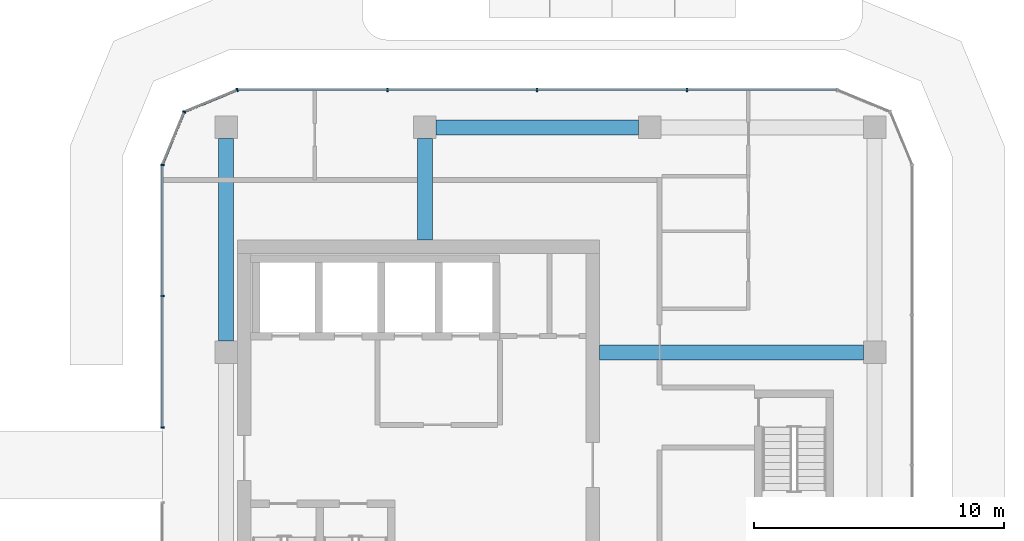
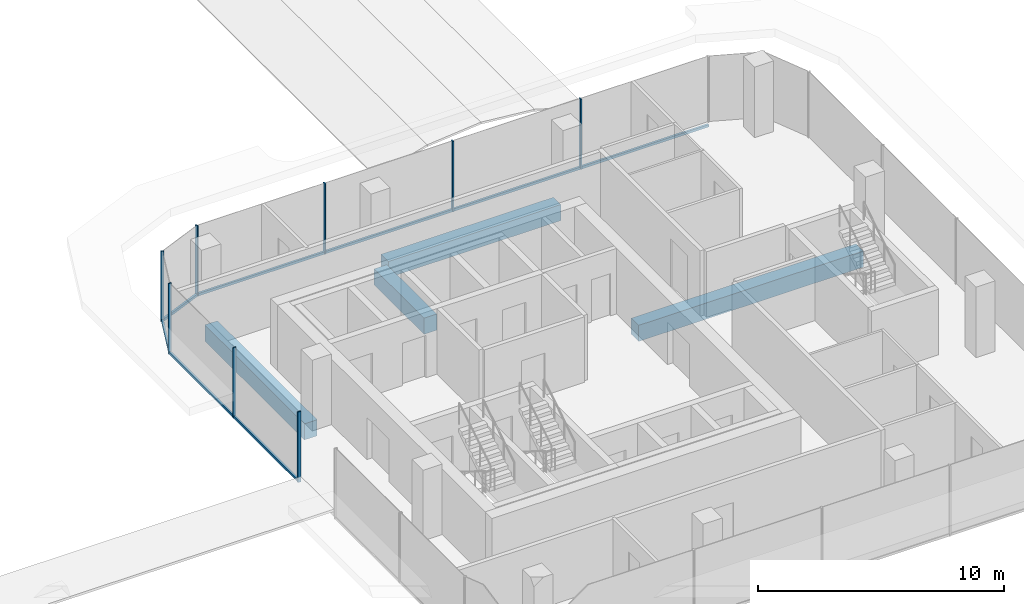
# One storey, part 9 of 24: 12 members, 4 beams, 4 elements without a shape of their own.
"""IFC4 building model written with IfcOpenShell, lengths in metres."""

from ifc_helpers import new_model, si_unit, direction, frame, origin, origin_2d, place, context, subcontext, project, spatial, rectangle, extrude, material, layer, layer_set, material_profile, profile_set, type_object, element, aggregate, save


model = new_model("IFC4")

# Units and contexts
model_context = context("Model", 3, precision=1e-05, world=origin(), true_north=direction((0.0, 1.0)))
body_context = subcontext(model_context, "Body", "Model", "MODEL_VIEW")
ifc_project = project(units=[si_unit("LENGTHUNIT", "METRE"), si_unit("AREAUNIT", "SQUARE_METRE"), si_unit("VOLUMEUNIT", "CUBIC_METRE"), si_unit("PLANEANGLEUNIT", "RADIAN"), si_unit("MASSUNIT", "GRAM", prefix="KILO")], contexts=[model_context])

# Site, building, storey
site_placement = place(None, origin())
site = spatial("IfcSite", under=ifc_project, at=site_placement, CompositionType="ELEMENT")
building_placement = place(site_placement, origin())
building = spatial("IfcBuilding", under=site, at=building_placement, Name="Plateau Cross Towers", CompositionType="ELEMENT")
storey_placement = place(building_placement, frame((0.0, 0.0, 30.300048828125)))
storey = spatial("IfcBuildingStorey", under=building, at=storey_placement, Name="L06", CompositionType="ELEMENT", Elevation=30.300048828125)

# Beams
ifc_material_1 = material(Name="Concrete C60/75", Category="concrete")
ifc_material_profile_1 = material_profile(ifc_material_1, rectangle(XDim=0.60009765625, YDim=0.800048828125, at=origin_2d()), Name="RC 600x800")
ifc_profile_set_1 = profile_set([ifc_material_profile_1], Name="Concrete C60/75")
beam_type_1 = type_object("IfcBeamType", Name="Core beam RC 600x800", PredefinedType="BEAM", material=ifc_profile_set_1)
beam_1_placement = place(storey_placement, frame((89.5, 13.5, -0.650146484375), z_axis=(1.0, 0.0, 0.0), x_axis=(0.0, 1.0, 0.0)))
element("IfcBeam", 1, at=beam_1_placement, inside=storey, type_object=beam_type_1, Name="B-CB03@L06", PredefinedType="BEAM", context=body_context, shape_type="SweptSolid", body=[
    extrude(rectangle(XDim=0.60009765625, YDim=0.800048828125, at=origin_2d()), origin(), (0.0, 0.0, 1.0), 10.550048828125),
])
beam_2_placement = place(storey_placement, frame((82.5, 18.0, -0.650146484375), z_axis=(0.0, 1.0, 0.0), x_axis=(-1.0, 0.0, 0.0)))
element("IfcBeam", 2, at=beam_2_placement, inside=storey, type_object=beam_type_1, Name="B-CB04@L06", PredefinedType="BEAM", context=body_context, shape_type="SweptSolid", body=[
    extrude(rectangle(XDim=0.60009765625, YDim=0.800048828125, at=origin_2d()), origin(), (0.0, 0.0, 1.0), 4.050048828125),
])

# Curtain wall, members
ifc_material_2 = material(Name="Dark low-iron glass", Category="glass")
ifc_layer = layer(ifc_material_2, 0.239990234375)
ifc_layer_set = layer_set([ifc_layer], Name="Dark low-iron glass")
curtain_wall_type = type_object("IfcCurtainWallType", Name="Curtain wall office unitised CW-F", PredefinedType="NOTDEFINED", material=ifc_layer_set)
curtain_wall_1_placement = place(storey_placement, origin())
curtain_wall_1 = element("IfcCurtainWall", 3, at=curtain_wall_1_placement, inside=storey, type_object=curtain_wall_type, Name="ENV/B/L06/B990_240", PredefinedType="NOTDEFINED")
ifc_material_3 = material(Name="Black anodised aluminium", Category="aluminium")
ifc_material_profile_2 = material_profile(ifc_material_3, rectangle(XDim=0.06005859375, YDim=0.139892578125, at=origin_2d()), Name="MULLION 60x140")
ifc_profile_set_2 = profile_set([ifc_material_profile_2], Name="Black anodised aluminium")
member_type_1 = type_object("IfcMemberType", Name="Mullion 60x140 office unitised", PredefinedType="MULLION", material=ifc_profile_set_2)
member_1_placement = place(storey_placement, frame((93.0, 24.0, -0.25), z_axis=(0.0, 0.0, 1.0), x_axis=(-1.0, 0.0, 0.0)))
member_1 = element("IfcMember", 4, at=member_1_placement, type_object=member_type_1, Name="CW-F mullion 2", PredefinedType="MULLION", context=body_context, shape_type="SweptSolid", body=[
    extrude(rectangle(XDim=0.06005859375, YDim=0.139892578125, at=origin_2d()), origin(), (0.0, 0.0, 1.0), 3.5),
])
member_2_placement = place(storey_placement, frame((87.0, 24.0, -0.25), z_axis=(0.0, 0.0, 1.0), x_axis=(-1.0, 0.0, 0.0)))
member_2 = element("IfcMember", 5, at=member_2_placement, type_object=member_type_1, Name="CW-F mullion 3", PredefinedType="MULLION", context=body_context, shape_type="SweptSolid", body=[
    extrude(rectangle(XDim=0.06005859375, YDim=0.139892578125, at=origin_2d()), origin(), (0.0, 0.0, 1.0), 3.5),
])
member_3_placement = place(storey_placement, frame((81.0, 24.0, -0.25), z_axis=(0.0, 0.0, 1.0), x_axis=(-1.0, 0.0, 0.0)))
member_3 = element("IfcMember", 6, at=member_3_placement, type_object=member_type_1, Name="CW-F mullion 4", PredefinedType="MULLION", context=body_context, shape_type="SweptSolid", body=[
    extrude(rectangle(XDim=0.06005859375, YDim=0.139892578125, at=origin_2d()), origin(), (0.0, 0.0, 1.0), 3.5),
])

# Curtain wall, member
curtain_wall_2_placement = place(storey_placement, origin())
curtain_wall_2 = element("IfcCurtainWall", 7, at=curtain_wall_2_placement, inside=storey, type_object=curtain_wall_type, Name="ENV/B/L06/B750_240", PredefinedType="NOTDEFINED")
member_4_placement = place(storey_placement, frame((75.0, 24.0, -0.25), z_axis=(0.0, 0.0, 1.0), x_axis=(-0.923879457699, -0.382683612978, 0.0)))
member_4 = element("IfcMember", 8, at=member_4_placement, type_object=member_type_1, Name="CW-F mullion 1", PredefinedType="MULLION", context=body_context, shape_type="SweptSolid", body=[
    extrude(rectangle(XDim=0.06005859375, YDim=0.139892578125, at=origin_2d()), origin(), (0.0, 0.0, 1.0), 3.5),
])

curtain_wall_3_placement = place(storey_placement, origin())
curtain_wall_3 = element("IfcCurtainWall", 9, at=curtain_wall_3_placement, inside=storey, type_object=curtain_wall_type, Name="ENV/B/L06/B729_231", PredefinedType="NOTDEFINED")
member_5_placement = place(storey_placement, frame((72.878662109375, 23.121337890625, -0.25), z_axis=(0.0, 0.0, 1.0), x_axis=(-0.382683612978, -0.923879457699, 0.0)))
member_5 = element("IfcMember", 10, at=member_5_placement, type_object=member_type_1, Name="CW-F mullion 1", PredefinedType="MULLION", context=body_context, shape_type="SweptSolid", body=[
    extrude(rectangle(XDim=0.06005859375, YDim=0.139892578125, at=origin_2d()), origin(), (0.0, 0.0, 1.0), 3.5),
])

# Curtain wall, members
curtain_wall_4_placement = place(storey_placement, origin())
curtain_wall_4 = element("IfcCurtainWall", 11, at=curtain_wall_4_placement, inside=storey, type_object=curtain_wall_type, Name="ENV/B/L06/B720_210", PredefinedType="NOTDEFINED")
member_6_placement = place(storey_placement, frame((72.0, 21.0, -0.25), z_axis=(0.0, 0.0, 1.0), x_axis=(0.0, -1.0, 0.0)))
member_6 = element("IfcMember", 12, at=member_6_placement, type_object=member_type_1, Name="CW-F mullion 1", PredefinedType="MULLION", context=body_context, shape_type="SweptSolid", body=[
    extrude(rectangle(XDim=0.06005859375, YDim=0.139892578125, at=origin_2d()), origin(), (0.0, 0.0, 1.0), 3.5),
])
member_7_placement = place(storey_placement, frame((72.0, 15.75, -0.25), z_axis=(0.0, 0.0, 1.0), x_axis=(0.0, -1.0, 0.0)))
member_7 = element("IfcMember", 13, at=member_7_placement, type_object=member_type_1, Name="CW-F mullion 2", PredefinedType="MULLION", context=body_context, shape_type="SweptSolid", body=[
    extrude(rectangle(XDim=0.06005859375, YDim=0.139892578125, at=origin_2d()), origin(), (0.0, 0.0, 1.0), 3.5),
])
member_8_placement = place(storey_placement, frame((72.0, 10.5, -0.25), z_axis=(0.0, 0.0, 1.0), x_axis=(0.0, -1.0, 0.0)))
member_8 = element("IfcMember", 14, at=member_8_placement, type_object=member_type_1, Name="CW-F mullion 3", PredefinedType="MULLION", context=body_context, shape_type="SweptSolid", body=[
    extrude(rectangle(XDim=0.06005859375, YDim=0.139892578125, at=origin_2d()), origin(), (0.0, 0.0, 1.0), 3.5),
])

# Beams
ifc_material_profile_3 = material_profile(ifc_material_1, rectangle(XDim=0.60009765625, YDim=0.800048828125, at=origin_2d()), Name="RC 600x800")
ifc_profile_set_3 = profile_set([ifc_material_profile_3], Name="Concrete C60/75")
beam_type_2 = type_object("IfcBeamType", Name="Ring beam RC 600x800", PredefinedType="BEAM", material=ifc_profile_set_3)
for number, where, z_axis, x_axis, name in (
    (15, (91.050048828125, 22.5, -0.650146484375), (-1.0, 0.0, 0.0), (0.0, -1.0, 0.0), "B-RB07@L06"),
    (16, (74.550048828125, 22.050048828125, -0.650146484375), (0.0, -1.0, 0.0), (1.0, 0.0, 0.0), "B-RB08@L06"),
):
    element("IfcBeam", number, at=place(storey_placement, frame(where, z_axis=z_axis, x_axis=x_axis)), inside=storey, type_object=beam_type_2, Name=name, PredefinedType="BEAM", context=body_context, shape_type="SweptSolid", body=[
        extrude(rectangle(XDim=0.60009765625, YDim=0.800048828125, at=origin_2d()), origin(), (0.0, 0.0, 1.0), 8.10009765625),
    ])

# Member
ifc_material_profile_4 = material_profile(ifc_material_3, rectangle(XDim=0.10009765625, YDim=0.1201171875, at=origin_2d()), Name="TRANSOM 100x120")
ifc_profile_set_4 = profile_set([ifc_material_profile_4], Name="Black anodised aluminium")
member_type_2 = type_object("IfcMemberType", Name="Transom 100x120 office unitised", PredefinedType="USERDEFINED", material=ifc_profile_set_4)
member_9_placement = place(storey_placement, frame((99.0, 24.0, -0.18994140625), z_axis=(-1.0, 0.0, 0.0), x_axis=(0.0, -1.0, 0.0)))
member_9 = element("IfcMember", 17, at=member_9_placement, type_object=member_type_2, Name="CW-F transom", ObjectType="TRANSOM", PredefinedType="USERDEFINED", context=body_context, shape_type="SweptSolid", body=[
    extrude(rectangle(XDim=0.10009765625, YDim=0.1201171875, at=origin_2d()), origin(), (0.0, 0.0, 1.0), 24.0),
])

aggregate(curtain_wall_1, [member_1, member_2, member_3, member_9])

member_10_placement = place(storey_placement, frame((75.0, 24.0, -0.18994140625), z_axis=(-0.923883353507, -0.382674207535, 0.0), x_axis=(0.382674207535, -0.923883353507, 0.0)))
member_10 = element("IfcMember", 18, at=member_10_placement, type_object=member_type_2, Name="CW-F transom", ObjectType="TRANSOM", PredefinedType="USERDEFINED", context=body_context, shape_type="SweptSolid", body=[
    extrude(rectangle(XDim=0.10009765625, YDim=0.1201171875, at=origin_2d()), origin(), (0.0, 0.0, 1.0), 2.296142578125),
])

aggregate(curtain_wall_2, [member_4, member_10])

member_11_placement = place(storey_placement, frame((72.878662109375, 23.121337890625, -0.18994140625), z_axis=(-0.382674207535, -0.923883353507, 0.0), x_axis=(0.923883353507, -0.382674207535, 0.0)))
member_11 = element("IfcMember", 19, at=member_11_placement, type_object=member_type_2, Name="CW-F transom", ObjectType="TRANSOM", PredefinedType="USERDEFINED", context=body_context, shape_type="SweptSolid", body=[
    extrude(rectangle(XDim=0.10009765625, YDim=0.1201171875, at=origin_2d()), origin(), (0.0, 0.0, 1.0), 2.296142578125),
])

aggregate(curtain_wall_3, [member_5, member_11])

member_12_placement = place(storey_placement, frame((72.0, 21.0, -0.18994140625), z_axis=(0.0, -1.0, 0.0), x_axis=(1.0, 0.0, 0.0)))
member_12 = element("IfcMember", 20, at=member_12_placement, type_object=member_type_2, Name="CW-F transom", ObjectType="TRANSOM", PredefinedType="USERDEFINED", context=body_context, shape_type="SweptSolid", body=[
    extrude(rectangle(XDim=0.10009765625, YDim=0.1201171875, at=origin_2d()), origin(), (0.0, 0.0, 1.0), 10.5),
])

aggregate(curtain_wall_4, [member_6, member_7, member_8, member_12])

save(model, "model.ifc")
